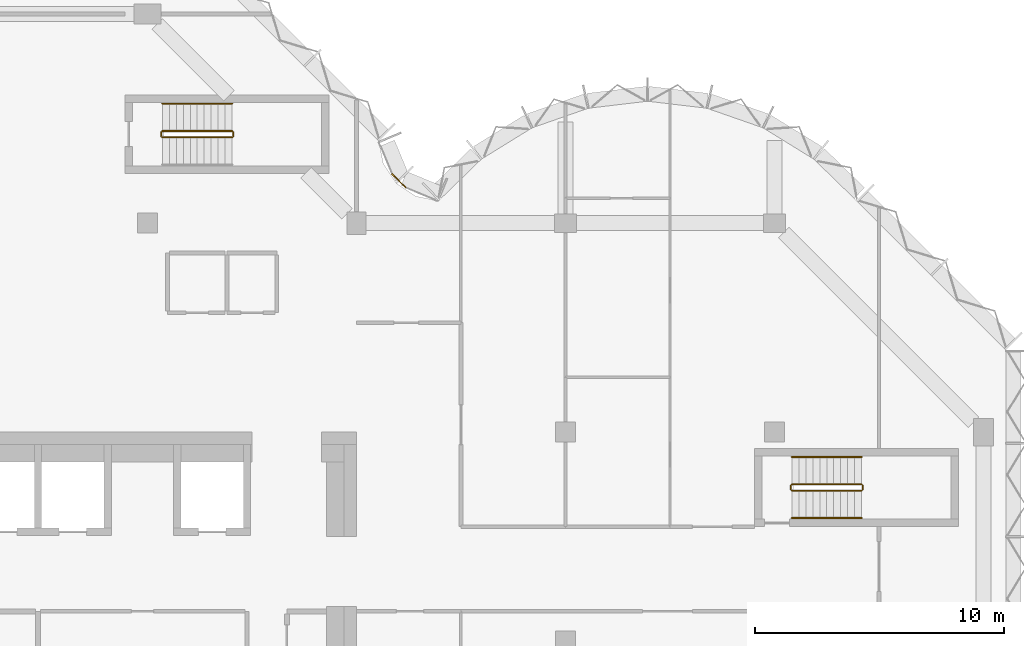
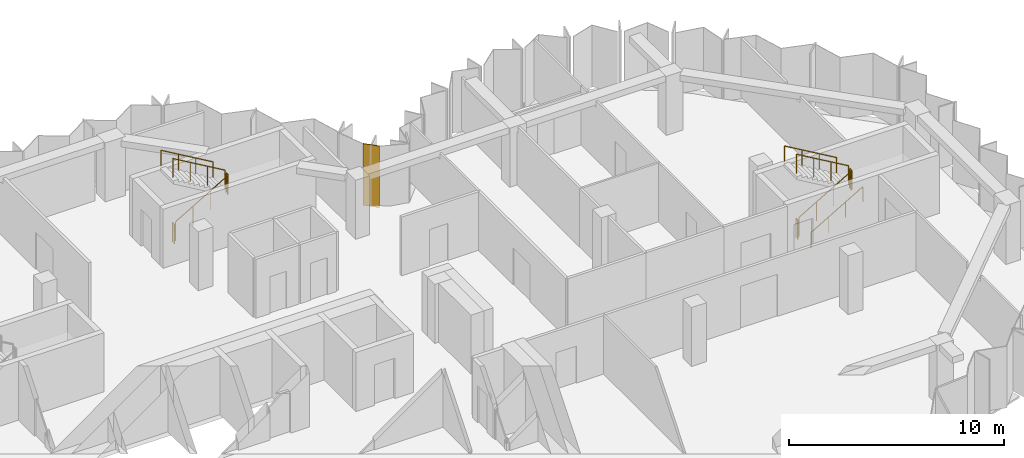
# One storey, part 9 of 9: 11 railings, 1 covering, 1 element without a shape of its own.
"""IFC4 building model written with IfcOpenShell, lengths in metres."""

from ifc_helpers import new_model, si_unit, direction, frame, origin, origin_2d, place, context, subcontext, project, spatial, polyline, circle, outline, extrude, material, layer, layer_set, type_object, element, aggregate, save


model = new_model("IFC4")

# Units and contexts
model_context = context("Model", 3, precision=1e-05, world=origin(), true_north=direction((0.0, 1.0)))
body_context = subcontext(model_context, "Body", "Model", "MODEL_VIEW")
ifc_project = project(units=[si_unit("LENGTHUNIT", "METRE"), si_unit("AREAUNIT", "SQUARE_METRE"), si_unit("VOLUMEUNIT", "CUBIC_METRE"), si_unit("PLANEANGLEUNIT", "RADIAN"), si_unit("MASSUNIT", "GRAM", prefix="KILO")], contexts=[model_context])

# Site, building, storey
site_placement = place(None, origin())
site = spatial("IfcSite", under=ifc_project, at=site_placement, CompositionType="ELEMENT")
building_placement = place(site_placement, origin())
building = spatial("IfcBuilding", under=site, at=building_placement, Name="Brevane Broadcast Tower", CompositionType="ELEMENT")
storey_placement = place(building_placement, frame((0.0, 0.0, 240.89990234375)))
storey = spatial("IfcBuildingStorey", under=building, at=storey_placement, Name="L61", CompositionType="ELEMENT", Elevation=240.89990234375)

# Railings
ifc_material_1 = material(Name="Steel S355", Category="steel")
railing_type_1 = type_object("IfcRailingType", Name="Exit stair guard", PredefinedType="GUARDRAIL", material=ifc_material_1)
railing_1_placement = place(storey_placement, frame((17.39990234375, 28.64990234375, 0.163818359375)))
element("IfcRailing", 1, at=railing_1_placement, inside=storey, type_object=railing_type_1, Name="L61 ST-3 stair guard 1", PredefinedType="GUARDRAIL", context=body_context, shape_type="SweptSolid", body=[
    extrude(circle(Radius=0.02392578125, at=origin_2d()), frame((0.0, 0.0, 1.076171875), z_axis=(0.863393664356, 0.0, 0.504530851732), x_axis=(0.0, 1.0, 0.0)), (0.0, 0.0, 1.0), 3.2431640625),
    extrude(circle(Radius=0.02099609375, at=origin_2d()), origin(), (0.0, 0.0, 1.0), 1.052001953125),
    extrude(circle(Radius=0.02099609375, at=origin_2d()), frame((0.933349609375, 0.0, 0.54541015625)), (0.0, 0.0, 1.0), 1.052001953125),
    extrude(circle(Radius=0.02099609375, at=origin_2d()), frame((1.86669921875, 0.0, 1.0908203125)), (0.0, 0.0, 1.0), 1.052001953125),
    extrude(circle(Radius=0.02099609375, at=origin_2d()), frame((2.800048828125, 0.0, 1.63623046875)), (0.0, 0.0, 1.0), 1.052001953125),
])
railing_2_placement = place(storey_placement, frame((20.25, 28.699951171875, 1.800048828125)))
element("IfcRailing", 2, at=railing_2_placement, inside=storey, type_object=railing_type_1, Name="L61 ST-3 stair guard 2", PredefinedType="GUARDRAIL", context=body_context, shape_type="SweptSolid", body=[
    extrude(circle(Radius=0.02392578125, at=origin_2d()), frame((0.0, 0.0, 1.076171875), z_axis=(0.0, 1.0, 0.0), x_axis=(-1.0, 0.0, 0.0)), (0.0, 0.0, 1.0), 0.150146484375),
    extrude(circle(Radius=0.02099609375, at=origin_2d()), origin(), (0.0, 0.0, 1.0), 1.052001953125),
    extrude(circle(Radius=0.02099609375, at=origin_2d()), frame((0.0, 0.150146484375, 0.0)), (0.0, 0.0, 1.0), 1.052001953125),
])
railing_3_placement = place(storey_placement, frame((20.199951171875, 28.89990234375, 1.963623046875)))
element("IfcRailing", 3, at=railing_3_placement, inside=storey, type_object=railing_type_1, Name="L61 ST-3 stair guard 3", PredefinedType="GUARDRAIL", context=body_context, shape_type="SweptSolid", body=[
    extrude(circle(Radius=0.02392578125, at=origin_2d()), frame((0.0, 0.0, 1.076171875), z_axis=(-0.863360870873, 0.0, 0.504586966384), x_axis=(0.0, -1.0, 0.0)), (0.0, 0.0, 1.0), 3.2431640625),
    extrude(circle(Radius=0.02099609375, at=origin_2d()), origin(), (0.0, 0.0, 1.0), 1.052001953125),
    extrude(circle(Radius=0.02099609375, at=origin_2d()), frame((-0.933349609375, 0.0, 0.54541015625)), (0.0, 0.0, 1.0), 1.052001953125),
    extrude(circle(Radius=0.02099609375, at=origin_2d()), frame((-1.86669921875, 0.0, 1.091064453125)), (0.0, 0.0, 1.0), 1.052001953125),
    extrude(circle(Radius=0.02099609375, at=origin_2d()), frame((-2.800048828125, 0.0, 1.636474609375)), (0.0, 0.0, 1.0), 1.052001953125),
])
railing_4_placement = place(storey_placement, frame((17.35009765625, 28.699951171875, 0.0)))
element("IfcRailing", 4, at=railing_4_placement, inside=storey, type_object=railing_type_1, Name="L61 ST-3 stair guard 4", PredefinedType="GUARDRAIL", context=body_context, shape_type="SweptSolid", body=[
    extrude(circle(Radius=0.02392578125, at=origin_2d()), frame((0.0, 0.0, 1.076171875), z_axis=(0.0, 1.0, 0.0), x_axis=(-1.0, 0.0, 0.0)), (0.0, 0.0, 1.0), 0.150146484375),
    extrude(circle(Radius=0.02099609375, at=origin_2d()), origin(), (0.0, 0.0, 1.0), 1.052001953125),
    extrude(circle(Radius=0.02099609375, at=origin_2d()), frame((0.0, 0.150146484375, 0.0)), (0.0, 0.0, 1.0), 1.052001953125),
])
railing_5_placement = place(storey_placement, frame((42.699951171875, 14.449951171875, 0.163818359375)))
element("IfcRailing", 5, at=railing_5_placement, inside=storey, type_object=railing_type_1, Name="L61 ST-4 stair guard 1", PredefinedType="GUARDRAIL", context=body_context, shape_type="SweptSolid", body=[
    extrude(circle(Radius=0.02392578125, at=origin_2d()), frame((0.0, 0.0, 1.076171875), z_axis=(0.863393664356, 0.0, 0.504530851732), x_axis=(0.0, 1.0, 0.0)), (0.0, 0.0, 1.0), 3.2431640625),
    extrude(circle(Radius=0.02099609375, at=origin_2d()), origin(), (0.0, 0.0, 1.0), 1.052001953125),
    extrude(circle(Radius=0.02099609375, at=origin_2d()), frame((0.933349609375, 0.0, 0.54541015625)), (0.0, 0.0, 1.0), 1.052001953125),
    extrude(circle(Radius=0.02099609375, at=origin_2d()), frame((1.86669921875, 0.0, 1.0908203125)), (0.0, 0.0, 1.0), 1.052001953125),
    extrude(circle(Radius=0.02099609375, at=origin_2d()), frame((2.800048828125, 0.0, 1.63623046875)), (0.0, 0.0, 1.0), 1.052001953125),
])
railing_6_placement = place(storey_placement, frame((45.550048828125, 14.5, 1.800048828125)))
element("IfcRailing", 6, at=railing_6_placement, inside=storey, type_object=railing_type_1, Name="L61 ST-4 stair guard 2", PredefinedType="GUARDRAIL", context=body_context, shape_type="SweptSolid", body=[
    extrude(circle(Radius=0.02392578125, at=origin_2d()), frame((0.0, 0.0, 1.076171875), z_axis=(0.0, 1.0, 0.0), x_axis=(-1.0, 0.0, 0.0)), (0.0, 0.0, 1.0), 0.14990234375),
    extrude(circle(Radius=0.02099609375, at=origin_2d()), origin(), (0.0, 0.0, 1.0), 1.052001953125),
    extrude(circle(Radius=0.02099609375, at=origin_2d()), frame((0.0, 0.14990234375, 0.0)), (0.0, 0.0, 1.0), 1.052001953125),
])
railing_7_placement = place(storey_placement, frame((45.5, 14.699951171875, 1.963623046875)))
element("IfcRailing", 7, at=railing_7_placement, inside=storey, type_object=railing_type_1, Name="L61 ST-4 stair guard 3", PredefinedType="GUARDRAIL", context=body_context, shape_type="SweptSolid", body=[
    extrude(circle(Radius=0.02392578125, at=origin_2d()), frame((0.0, 0.0, 1.076171875), z_axis=(-0.863360870873, 0.0, 0.504586966384), x_axis=(0.0, -1.0, 0.0)), (0.0, 0.0, 1.0), 3.2431640625),
    extrude(circle(Radius=0.02099609375, at=origin_2d()), origin(), (0.0, 0.0, 1.0), 1.052001953125),
    extrude(circle(Radius=0.02099609375, at=origin_2d()), frame((-0.933349609375, 0.0, 0.54541015625)), (0.0, 0.0, 1.0), 1.052001953125),
    extrude(circle(Radius=0.02099609375, at=origin_2d()), frame((-1.86669921875, 0.0, 1.091064453125)), (0.0, 0.0, 1.0), 1.052001953125),
    extrude(circle(Radius=0.02099609375, at=origin_2d()), frame((-2.800048828125, 0.0, 1.636474609375)), (0.0, 0.0, 1.0), 1.052001953125),
])
railing_8_placement = place(storey_placement, frame((42.64990234375, 14.5, 0.0)))
element("IfcRailing", 8, at=railing_8_placement, inside=storey, type_object=railing_type_1, Name="L61 ST-4 stair guard 4", PredefinedType="GUARDRAIL", context=body_context, shape_type="SweptSolid", body=[
    extrude(circle(Radius=0.02392578125, at=origin_2d()), frame((0.0, 0.0, 1.076171875), z_axis=(0.0, 1.0, 0.0), x_axis=(-1.0, 0.0, 0.0)), (0.0, 0.0, 1.0), 0.14990234375),
    extrude(circle(Radius=0.02099609375, at=origin_2d()), origin(), (0.0, 0.0, 1.0), 1.052001953125),
    extrude(circle(Radius=0.02099609375, at=origin_2d()), frame((0.0, 0.14990234375, 0.0)), (0.0, 0.0, 1.0), 1.052001953125),
])
railing_type_2 = type_object("IfcRailingType", Name="Exit stair handrail", PredefinedType="HANDRAIL", material=ifc_material_1)
railing_9_placement = place(storey_placement, frame((20.199951171875, 30.0, 1.963623046875)))
element("IfcRailing", 9, at=railing_9_placement, inside=storey, type_object=railing_type_2, Name="L61 ST-3 stair handrail 2", PredefinedType="HANDRAIL", context=body_context, shape_type="SweptSolid", body=[
    extrude(circle(Radius=0.02392578125, at=origin_2d()), frame((0.0, 0.0, 0.8759765625), z_axis=(-0.863360870873, 0.0, 0.504586966384), x_axis=(0.0, -1.0, 0.0)), (0.0, 0.0, 1.0), 3.2431640625),
    extrude(circle(Radius=0.02099609375, at=origin_2d()), origin(), (0.0, 0.0, 1.0), 0.851806640625),
    extrude(circle(Radius=0.02099609375, at=origin_2d()), frame((-0.933349609375, 0.0, 0.54541015625)), (0.0, 0.0, 1.0), 0.851806640625),
    extrude(circle(Radius=0.02099609375, at=origin_2d()), frame((-1.86669921875, 0.0, 1.091064453125)), (0.0, 0.0, 1.0), 0.851806640625),
    extrude(circle(Radius=0.02099609375, at=origin_2d()), frame((-2.800048828125, 0.0, 1.636474609375)), (0.0, 0.0, 1.0), 0.851806640625),
])
railing_10_placement = place(storey_placement, frame((42.699951171875, 13.35009765625, 0.163818359375)))
element("IfcRailing", 10, at=railing_10_placement, inside=storey, type_object=railing_type_2, Name="L61 ST-4 stair handrail 1", PredefinedType="HANDRAIL", context=body_context, shape_type="SweptSolid", body=[
    extrude(circle(Radius=0.02392578125, at=origin_2d()), frame((0.0, 0.0, 0.8759765625), z_axis=(0.863393664356, 0.0, 0.504530851732), x_axis=(0.0, 1.0, 0.0)), (0.0, 0.0, 1.0), 3.2431640625),
    extrude(circle(Radius=0.02099609375, at=origin_2d()), origin(), (0.0, 0.0, 1.0), 0.851806640625),
    extrude(circle(Radius=0.02099609375, at=origin_2d()), frame((0.933349609375, 0.0, 0.54541015625)), (0.0, 0.0, 1.0), 0.851806640625),
    extrude(circle(Radius=0.02099609375, at=origin_2d()), frame((1.86669921875, 0.0, 1.0908203125)), (0.0, 0.0, 1.0), 0.851806640625),
    extrude(circle(Radius=0.02099609375, at=origin_2d()), frame((2.800048828125, 0.0, 1.63623046875)), (0.0, 0.0, 1.0), 0.851806640625),
])
railing_11_placement = place(storey_placement, frame((45.5, 15.800048828125, 1.963623046875)))
element("IfcRailing", 11, at=railing_11_placement, inside=storey, type_object=railing_type_2, Name="L61 ST-4 stair handrail 2", PredefinedType="HANDRAIL", context=body_context, shape_type="SweptSolid", body=[
    extrude(circle(Radius=0.02392578125, at=origin_2d()), frame((0.0, 0.0, 0.8759765625), z_axis=(-0.863360870873, 0.0, 0.504586966384), x_axis=(0.0, -1.0, 0.0)), (0.0, 0.0, 1.0), 3.2431640625),
    extrude(circle(Radius=0.02099609375, at=origin_2d()), origin(), (0.0, 0.0, 1.0), 0.851806640625),
    extrude(circle(Radius=0.02099609375, at=origin_2d()), frame((-0.933349609375, 0.0, 0.54541015625)), (0.0, 0.0, 1.0), 0.851806640625),
    extrude(circle(Radius=0.02099609375, at=origin_2d()), frame((-1.86669921875, 0.0, 1.091064453125)), (0.0, 0.0, 1.0), 0.851806640625),
    extrude(circle(Radius=0.02099609375, at=origin_2d()), frame((-2.800048828125, 0.0, 1.636474609375)), (0.0, 0.0, 1.0), 0.851806640625),
])

# Curtain wall, covering
ifc_material_2 = material(Name="Aluminium 6063-T6 bronze anodised", Category="aluminium")
curtain_wall_type = type_object("IfcCurtainWallType", Name="CW-1 curtain wall", PredefinedType="NOTDEFINED", material=ifc_material_2)
curtain_wall_placement = place(storey_placement, origin())
curtain_wall = element("IfcCurtainWall", 12, at=curtain_wall_placement, inside=storey, type_object=curtain_wall_type, Name="CW-1 typical tilted unit L61 inner corner", PredefinedType="NOTDEFINED")
ifc_material_3 = material(Name="Back-painted bronze glass shadow-box", Category="glass")
ifc_layer = layer(ifc_material_3, 0.0400390625)
ifc_layer_set = layer_set([ifc_layer], Name="Shadow-box panel 40")
covering_type = type_object("IfcCoveringType", Name="Shadow-box panel 40", PredefinedType="CLADDING", material=ifc_layer_set)
covering_placement = place(storey_placement, frame((0.0, 0.0, -0.14990234375)))
covering = element("IfcCovering", 13, at=covering_placement, type_object=covering_type, Name="Closure panel", PredefinedType="CLADDING", context=body_context, shape_type="SweptSolid", body=[
    extrude(outline(polyline([(27.17138671875, 26.60498046875), (27.2021484375, 26.635498046875), (26.635498046875, 27.2021484375), (26.60498046875, 27.17138671875), (27.17138671875, 26.60498046875)])), origin(), (0.0, 0.0, 1.0), 3.5),
])
aggregate(curtain_wall, [covering])

save(model, "model.ifc")
